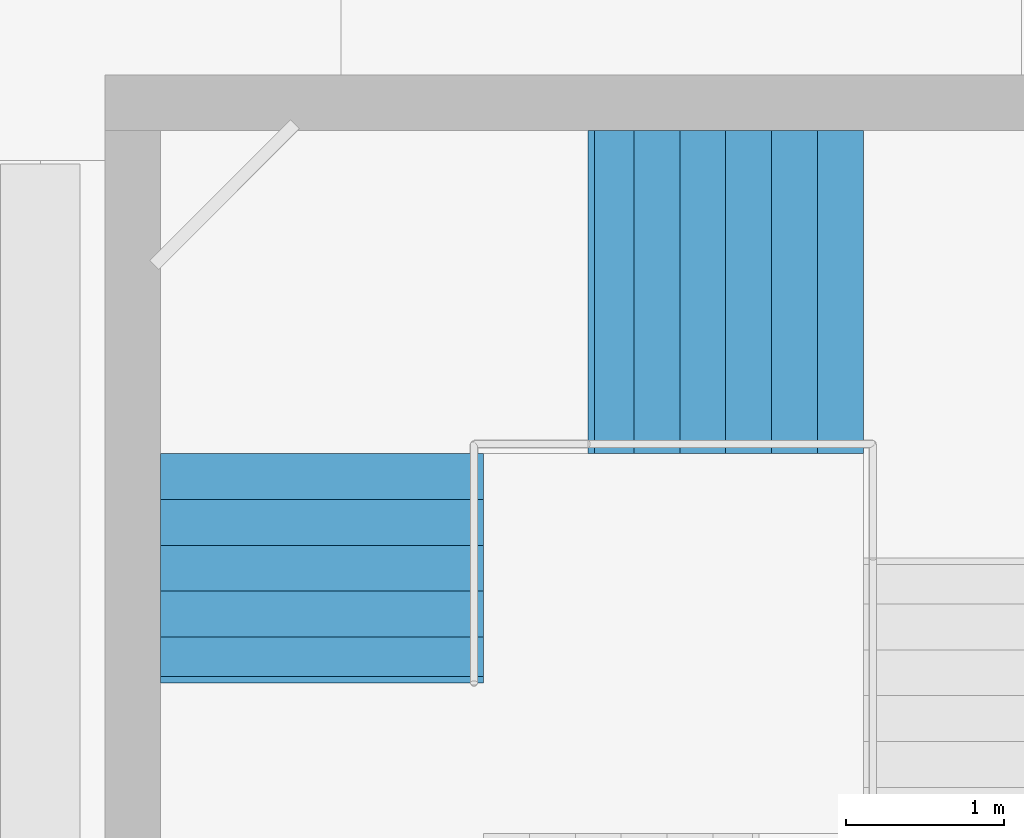
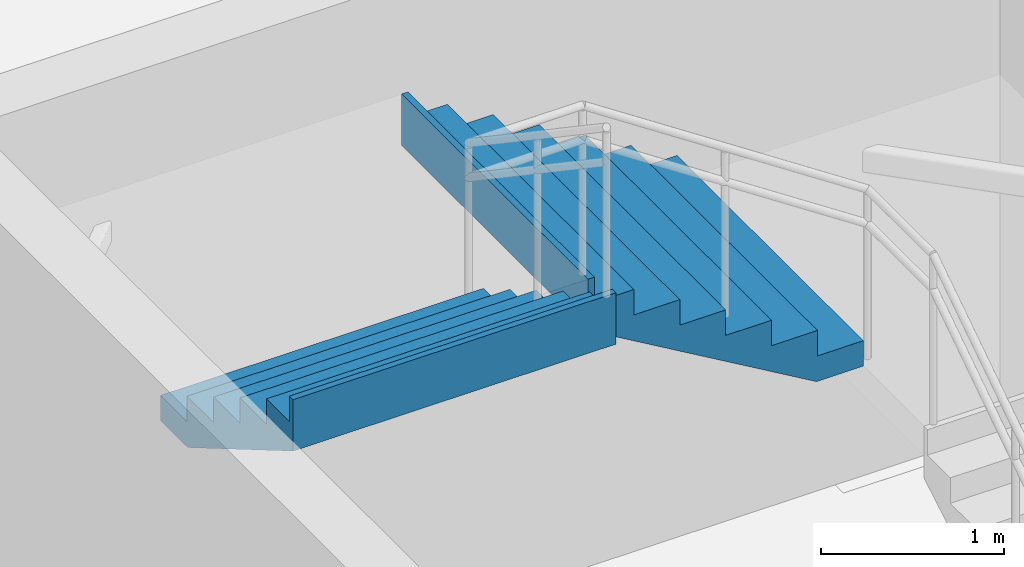
# One storey, part 26 of 30: 2 stair flights, 1 element without a shape of its own.
"""IFC4 building model written with IfcOpenShell, lengths in metres."""

from ifc_helpers import new_model, si_unit, direction, frame, origin, place, context, subcontext, project, spatial, triangles, material, type_object, element, aggregate, save


model = new_model("IFC4")

# Units and contexts
model_context = context("Model", 3, precision=1e-05, world=origin(), true_north=direction((0.0, 1.0)))
body_context = subcontext(model_context, "Body", "Model", "MODEL_VIEW")
ifc_project = project(units=[si_unit("LENGTHUNIT", "METRE"), si_unit("AREAUNIT", "SQUARE_METRE"), si_unit("VOLUMEUNIT", "CUBIC_METRE"), si_unit("PLANEANGLEUNIT", "RADIAN"), si_unit("MASSUNIT", "GRAM", prefix="KILO")], contexts=[model_context])

# Site, building, storey
site_placement = place(None, origin())
site = spatial("IfcSite", under=ifc_project, at=site_placement, CompositionType="ELEMENT")
building_placement = place(site_placement, origin())
building = spatial("IfcBuilding", under=site, at=building_placement, Name="Sillaruma Civic Art Gallery", CompositionType="ELEMENT")
storey_placement = place(building_placement, frame((0.0, 0.0, -9.179931640625)))
storey = spatial("IfcBuildingStorey", under=building, at=storey_placement, Name="B02", CompositionType="ELEMENT", Elevation=-9.179931640625)

# Stair, stair flights
ifc_material = material(Name="Concrete H35 (35 MPa)", Category="concrete")
stair_type = type_object("IfcStairType", Name="STR-4F-27", PredefinedType="USERDEFINED", material=ifc_material)
stair_placement = place(storey_placement, origin())
stair = element("IfcStair", 1, at=stair_placement, inside=storey, type_object=stair_type, Name="Protected Exit Stair ST-02 (West Bar North) (B02)", ObjectType="THREE_RETURN_STAIR", PredefinedType="USERDEFINED")
stair_flight_type_1 = type_object("IfcStairFlightType", Name="SFL-STR-6", PredefinedType="STRAIGHT", material=ifc_material)
stair_flight_1_placement = place(storey_placement, frame((63.780029296875, 85.35009765625, 3.56982421875), z_axis=(0.0, 0.0, 1.0), x_axis=(0.0, -1.0, 0.0)))
stair_flight_1 = element("IfcStairFlight", 2, at=stair_flight_1_placement, type_object=stair_flight_type_1, Name="ST-02 flight 4", NumberOfRisers=6, NumberOfTreads=5, PredefinedType="STRAIGHT", RiserHeight=0.17, TreadLength=0.29, context=body_context, shape_type="Tessellation", body=[
    triangles([(0.0, -1.02001953125, 0.0), (0.29, -1.02001953125, 0.0), (0.296365, -1.02001953125, 0.0), (0.58, -1.02001953125, 0.166269), (0.87, -1.02001953125, 0.336269), (1.16, -1.02001953125, 0.506269), (1.409951, -1.02001953125, 0.652792), (1.449951, -1.02001953125, 0.67624), (1.449951, -1.02001953125, 1.02), (1.409951, -1.02001953125, 1.02), (1.409951, -1.02001953125, 0.85), (1.16, -1.02001953125, 0.85), (1.16, -1.02001953125, 0.68), (0.87, -1.02001953125, 0.68), (0.87, -1.02001953125, 0.51), (0.58, -1.02001953125, 0.51), (0.58, -1.02001953125, 0.34), (0.296365, -1.02001953125, 0.34), (0.29, -1.02001953125, 0.34), (0.29, -1.02001953125, 0.17), (0.0, -1.02001953125, 0.17), (0.0, -0.05, 0.0), (0.29, -0.05, 0.0), (0.296365, -0.05, 0.0), (0.58, -0.05, 0.166269), (0.87, -0.05, 0.336269), (1.16, -0.05, 0.506269), (1.409951, -0.05, 0.652792), (1.449951, -0.05, 0.67624), (1.449951, -0.05, 1.02), (1.409951, -0.05, 1.02), (1.409951, -0.05, 0.85), (1.16, -0.05, 0.85), (1.16, -0.05, 0.68), (0.87, -0.05, 0.68), (0.87, -0.05, 0.51), (0.58, -0.05, 0.51), (0.58, -0.05, 0.34), (0.296365, -0.05, 0.34), (0.29, -0.05, 0.34), (0.29, -0.05, 0.17), (0.0, -0.05, 0.17), (0.0, -0.0375, 0.0), (0.29, -0.0375, 0.0), (0.296365, -0.0375, 0.0), (0.58, -0.0375, 0.166269), (0.87, -0.0375, 0.336269), (1.16, -0.0375, 0.506269), (1.409951, -0.0375, 0.652792), (1.449951, -0.0375, 0.67624), (1.449951, -0.0375, 1.02), (1.409951, -0.0375, 1.02), (1.409951, -0.0375, 0.85), (1.16, -0.0375, 0.85), (1.16, -0.0375, 0.68), (0.87, -0.0375, 0.68), (0.87, -0.0375, 0.51), (0.58, -0.0375, 0.51), (0.58, -0.0375, 0.34), (0.296365, -0.0375, 0.34), (0.29, -0.0375, 0.34), (0.29, -0.0375, 0.17), (0.0, -0.0375, 0.17), (0.0, -0.025, 0.0), (0.29, -0.025, 0.0), (0.296365, -0.025, 0.0), (0.58, -0.025, 0.166269), (0.87, -0.025, 0.336269), (1.16, -0.025, 0.506269), (1.409951, -0.025, 0.652792), (1.449951, -0.025, 0.67624), (1.449951, -0.025, 1.02), (1.409951, -0.025, 1.02), (1.409951, -0.025, 0.85), (1.16, -0.025, 0.85), (1.16, -0.025, 0.68), (0.87, -0.025, 0.68), (0.87, -0.025, 0.51), (0.58, -0.025, 0.51), (0.58, -0.025, 0.34), (0.296365, -0.025, 0.34), (0.29, -0.025, 0.34), (0.29, -0.025, 0.17), (0.0, -0.025, 0.17), (0.0, -0.0125, 0.0), (0.29, -0.0125, 0.0), (0.296365, -0.0125, 0.0), (0.58, -0.0125, 0.166269), (0.87, -0.0125, 0.336269), (1.16, -0.0125, 0.506269), (1.409951, -0.0125, 0.652792), (1.449951, -0.0125, 0.67624), (1.449951, -0.0125, 1.02), (1.409951, -0.0125, 1.02), (1.409951, -0.0125, 0.85), (1.16, -0.0125, 0.85), (1.16, -0.0125, 0.68), (0.87, -0.0125, 0.68), (0.87, -0.0125, 0.51), (0.58, -0.0125, 0.51), (0.58, -0.0125, 0.34), (0.296365, -0.0125, 0.34), (0.29, -0.0125, 0.34), (0.29, -0.0125, 0.17), (0.0, -0.0125, 0.17), (0.0, 0.0, 0.0), (0.29, 0.0, 0.0), (0.296365, 0.0, 0.0), (0.58, 0.0, 0.166269), (0.87, 0.0, 0.336269), (1.16, 0.0, 0.506269), (1.409951, 0.0, 0.652792), (1.449951, 0.0, 0.67624), (1.449951, 0.0, 1.02), (1.409951, 0.0, 1.02), (1.409951, 0.0, 0.85), (1.16, 0.0, 0.85), (1.16, 0.0, 0.68), (0.87, 0.0, 0.68), (0.87, 0.0, 0.51), (0.58, 0.0, 0.51), (0.58, 0.0, 0.34), (0.296365, 0.0, 0.34), (0.29, 0.0, 0.34), (0.29, 0.0, 0.17), (0.0, 0.0, 0.17), (0.0, 0.0125, 0.0), (0.29, 0.0125, 0.0), (0.296365, 0.0125, 0.0), (0.58, 0.0125, 0.166269), (0.87, 0.0125, 0.336269), (1.16, 0.0125, 0.506269), (1.409951, 0.0125, 0.652792), (1.449951, 0.0125, 0.67624), (1.449951, 0.0125, 1.02), (1.409951, 0.0125, 1.02), (1.409951, 0.0125, 0.85), (1.16, 0.0125, 0.85), (1.16, 0.0125, 0.68), (0.87, 0.0125, 0.68), (0.87, 0.0125, 0.51), (0.58, 0.0125, 0.51), (0.58, 0.0125, 0.34), (0.296365, 0.0125, 0.34), (0.29, 0.0125, 0.34), (0.29, 0.0125, 0.17), (0.0, 0.0125, 0.17), (0.0, 0.025, 0.0), (0.29, 0.025, 0.0), (0.296365, 0.025, 0.0), (0.58, 0.025, 0.166269), (0.87, 0.025, 0.336269), (1.16, 0.025, 0.506269), (1.409951, 0.025, 0.652792), (1.449951, 0.025, 0.67624), (1.449951, 0.025, 1.02), (1.409951, 0.025, 1.02), (1.409951, 0.025, 0.85), (1.16, 0.025, 0.85), (1.16, 0.025, 0.68), (0.87, 0.025, 0.68), (0.87, 0.025, 0.51), (0.58, 0.025, 0.51), (0.58, 0.025, 0.34), (0.296365, 0.025, 0.34), (0.29, 0.025, 0.34), (0.29, 0.025, 0.17), (0.0, 0.025, 0.17), (0.0, 0.0375, 0.0), (0.29, 0.0375, 0.0), (0.296365, 0.0375, 0.0), (0.58, 0.0375, 0.166269), (0.87, 0.0375, 0.336269), (1.16, 0.0375, 0.506269), (1.409951, 0.0375, 0.652792), (1.449951, 0.0375, 0.67624), (1.449951, 0.0375, 1.02), (1.409951, 0.0375, 1.02), (1.409951, 0.0375, 0.85), (1.16, 0.0375, 0.85), (1.16, 0.0375, 0.68), (0.87, 0.0375, 0.68), (0.87, 0.0375, 0.51), (0.58, 0.0375, 0.51), (0.58, 0.0375, 0.34), (0.296365, 0.0375, 0.34), (0.29, 0.0375, 0.34), (0.29, 0.0375, 0.17), (0.0, 0.0375, 0.17), (0.0, 0.05, 0.0), (0.29, 0.05, 0.0), (0.296365, 0.05, 0.0), (0.58, 0.05, 0.166269), (0.87, 0.05, 0.336269), (1.16, 0.05, 0.506269), (1.409951, 0.05, 0.652792), (1.449951, 0.05, 0.67624), (1.449951, 0.05, 1.02), (1.409951, 0.05, 1.02), (1.409951, 0.05, 0.85), (1.16, 0.05, 0.85), (1.16, 0.05, 0.68), (0.87, 0.05, 0.68), (0.87, 0.05, 0.51), (0.58, 0.05, 0.51), (0.58, 0.05, 0.34), (0.296365, 0.05, 0.34), (0.29, 0.05, 0.34), (0.29, 0.05, 0.17), (0.0, 0.05, 0.17), (0.0, 1.02001953125, 0.0), (0.29, 1.02001953125, 0.0), (0.296365, 1.02001953125, 0.0), (0.58, 1.02001953125, 0.166269), (0.87, 1.02001953125, 0.336269), (1.16, 1.02001953125, 0.506269), (1.409951, 1.02001953125, 0.652792), (1.449951, 1.02001953125, 0.67624), (1.449951, 1.02001953125, 1.02), (1.409951, 1.02001953125, 1.02), (1.409951, 1.02001953125, 0.85), (1.16, 1.02001953125, 0.85), (1.16, 1.02001953125, 0.68), (0.87, 1.02001953125, 0.68), (0.87, 1.02001953125, 0.51), (0.58, 1.02001953125, 0.51), (0.58, 1.02001953125, 0.34), (0.296365, 1.02001953125, 0.34), (0.29, 1.02001953125, 0.34), (0.29, 1.02001953125, 0.17), (0.0, 1.02001953125, 0.17)], [[1, 2, 20], [1, 20, 21], [2, 3, 18], [2, 18, 20], [20, 18, 19], [3, 4, 17], [3, 17, 18], [4, 5, 15], [4, 15, 17], [17, 15, 16], [5, 6, 13], [5, 13, 15], [15, 13, 14], [6, 7, 11], [6, 11, 13], [13, 11, 12], [7, 8, 9], [7, 9, 11], [11, 9, 10], [230, 212, 211], [231, 230, 211], [228, 213, 212], [230, 228, 212], [229, 228, 230], [227, 214, 213], [228, 227, 213], [225, 215, 214], [227, 225, 214], [226, 225, 227], [223, 216, 215], [225, 223, 215], [224, 223, 225], [221, 217, 216], [223, 221, 216], [222, 221, 223], [219, 218, 217], [221, 219, 217], [220, 219, 221], [2, 1, 22], [2, 22, 23], [3, 2, 23], [3, 23, 24], [4, 3, 24], [4, 24, 25], [5, 4, 25], [5, 25, 26], [6, 5, 26], [6, 26, 27], [7, 6, 27], [7, 27, 28], [8, 7, 28], [8, 28, 29], [9, 8, 29], [9, 29, 30], [10, 9, 30], [10, 30, 31], [11, 10, 31], [11, 31, 32], [12, 11, 32], [12, 32, 33], [13, 12, 33], [13, 33, 34], [14, 13, 34], [14, 34, 35], [15, 14, 35], [15, 35, 36], [16, 15, 36], [16, 36, 37], [17, 16, 37], [17, 37, 38], [18, 17, 38], [18, 38, 39], [19, 18, 39], [19, 39, 40], [20, 19, 40], [20, 40, 41], [21, 20, 41], [21, 41, 42], [1, 21, 42], [1, 42, 22], [23, 22, 43], [23, 43, 44], [24, 23, 44], [24, 44, 45], [25, 24, 45], [25, 45, 46], [26, 25, 46], [26, 46, 47], [27, 26, 47], [27, 47, 48], [28, 27, 48], [28, 48, 49], [29, 28, 49], [29, 49, 50], [30, 29, 50], [30, 50, 51], [31, 30, 51], [31, 51, 52], [32, 31, 52], [32, 52, 53], [33, 32, 53], [33, 53, 54], [34, 33, 54], [34, 54, 55], [35, 34, 55], [35, 55, 56], [36, 35, 56], [36, 56, 57], [37, 36, 57], [37, 57, 58], [38, 37, 58], [38, 58, 59], [39, 38, 59], [39, 59, 60], [40, 39, 60], [40, 60, 61], [41, 40, 61], [41, 61, 62], [42, 41, 62], [42, 62, 63], [22, 42, 63], [22, 63, 43], [44, 43, 64], [44, 64, 65], [45, 44, 65], [45, 65, 66], [46, 45, 66], [46, 66, 67], [47, 46, 67], [47, 67, 68], [48, 47, 68], [48, 68, 69], [49, 48, 69], [49, 69, 70], [50, 49, 70], [50, 70, 71], [51, 50, 71], [51, 71, 72], [52, 51, 72], [52, 72, 73], [53, 52, 73], [53, 73, 74], [54, 53, 74], [54, 74, 75], [55, 54, 75], [55, 75, 76], [56, 55, 76], [56, 76, 77], [57, 56, 77], [57, 77, 78], [58, 57, 78], [58, 78, 79], [59, 58, 79], [59, 79, 80], [60, 59, 80], [60, 80, 81], [61, 60, 81], [61, 81, 82], [62, 61, 82], [62, 82, 83], [63, 62, 83], [63, 83, 84], [43, 63, 84], [43, 84, 64], [65, 64, 85], [65, 85, 86], [66, 65, 86], [66, 86, 87], [67, 66, 87], [67, 87, 88], [68, 67, 88], [68, 88, 89], [69, 68, 89], [69, 89, 90], [70, 69, 90], [70, 90, 91], [71, 70, 91], [71, 91, 92], [72, 71, 92], [72, 92, 93], [73, 72, 93], [73, 93, 94], [74, 73, 94], [74, 94, 95], [75, 74, 95], [75, 95, 96], [76, 75, 96], [76, 96, 97], [77, 76, 97], [77, 97, 98], [78, 77, 98], [78, 98, 99], [79, 78, 99], [79, 99, 100], [80, 79, 100], [80, 100, 101], [81, 80, 101], [81, 101, 102], [82, 81, 102], [82, 102, 103], [83, 82, 103], [83, 103, 104], [84, 83, 104], [84, 104, 105], [64, 84, 105], [64, 105, 85], [86, 85, 106], [86, 106, 107], [87, 86, 107], [87, 107, 108], [88, 87, 108], [88, 108, 109], [89, 88, 109], [89, 109, 110], [90, 89, 110], [90, 110, 111], [91, 90, 111], [91, 111, 112], [92, 91, 112], [92, 112, 113], [93, 92, 113], [93, 113, 114], [94, 93, 114], [94, 114, 115], [95, 94, 115], [95, 115, 116], [96, 95, 116], [96, 116, 117], [97, 96, 117], [97, 117, 118], [98, 97, 118], [98, 118, 119], [99, 98, 119], [99, 119, 120], [100, 99, 120], [100, 120, 121], [101, 100, 121], [101, 121, 122], [102, 101, 122], [102, 122, 123], [103, 102, 123], [103, 123, 124], [104, 103, 124], [104, 124, 125], [105, 104, 125], [105, 125, 126], [85, 105, 126], [85, 126, 106], [107, 106, 127], [107, 127, 128], [108, 107, 128], [108, 128, 129], [109, 108, 129], [109, 129, 130], [110, 109, 130], [110, 130, 131], [111, 110, 131], [111, 131, 132], [112, 111, 132], [112, 132, 133], [113, 112, 133], [113, 133, 134], [114, 113, 134], [114, 134, 135], [115, 114, 135], [115, 135, 136], [116, 115, 136], [116, 136, 137], [117, 116, 137], [117, 137, 138], [118, 117, 138], [118, 138, 139], [119, 118, 139], [119, 139, 140], [120, 119, 140], [120, 140, 141], [121, 120, 141], [121, 141, 142], [122, 121, 142], [122, 142, 143], [123, 122, 143], [123, 143, 144], [124, 123, 144], [124, 144, 145], [125, 124, 145], [125, 145, 146], [126, 125, 146], [126, 146, 147], [106, 126, 147], [106, 147, 127], [128, 127, 148], [128, 148, 149], [129, 128, 149], [129, 149, 150], [130, 129, 150], [130, 150, 151], [131, 130, 151], [131, 151, 152], [132, 131, 152], [132, 152, 153], [133, 132, 153], [133, 153, 154], [134, 133, 154], [134, 154, 155], [135, 134, 155], [135, 155, 156], [136, 135, 156], [136, 156, 157], [137, 136, 157], [137, 157, 158], [138, 137, 158], [138, 158, 159], [139, 138, 159], [139, 159, 160], [140, 139, 160], [140, 160, 161], [141, 140, 161], [141, 161, 162], [142, 141, 162], [142, 162, 163], [143, 142, 163], [143, 163, 164], [144, 143, 164], [144, 164, 165], [145, 144, 165], [145, 165, 166], [146, 145, 166], [146, 166, 167], [147, 146, 167], [147, 167, 168], [127, 147, 168], [127, 168, 148], [149, 148, 169], [149, 169, 170], [150, 149, 170], [150, 170, 171], [151, 150, 171], [151, 171, 172], [152, 151, 172], [152, 172, 173], [153, 152, 173], [153, 173, 174], [154, 153, 174], [154, 174, 175], [155, 154, 175], [155, 175, 176], [156, 155, 176], [156, 176, 177], [157, 156, 177], [157, 177, 178], [158, 157, 178], [158, 178, 179], [159, 158, 179], [159, 179, 180], [160, 159, 180], [160, 180, 181], [161, 160, 181], [161, 181, 182], [162, 161, 182], [162, 182, 183], [163, 162, 183], [163, 183, 184], [164, 163, 184], [164, 184, 185], [165, 164, 185], [165, 185, 186], [166, 165, 186], [166, 186, 187], [167, 166, 187], [167, 187, 188], [168, 167, 188], [168, 188, 189], [148, 168, 189], [148, 189, 169], [170, 169, 190], [170, 190, 191], [171, 170, 191], [171, 191, 192], [172, 171, 192], [172, 192, 193], [173, 172, 193], [173, 193, 194], [174, 173, 194], [174, 194, 195], [175, 174, 195], [175, 195, 196], [176, 175, 196], [176, 196, 197], [177, 176, 197], [177, 197, 198], [178, 177, 198], [178, 198, 199], [179, 178, 199], [179, 199, 200], [180, 179, 200], [180, 200, 201], [181, 180, 201], [181, 201, 202], [182, 181, 202], [182, 202, 203], [183, 182, 203], [183, 203, 204], [184, 183, 204], [184, 204, 205], [185, 184, 205], [185, 205, 206], [186, 185, 206], [186, 206, 207], [187, 186, 207], [187, 207, 208], [188, 187, 208], [188, 208, 209], [189, 188, 209], [189, 209, 210], [169, 189, 210], [169, 210, 190], [191, 190, 211], [191, 211, 212], [192, 191, 212], [192, 212, 213], [193, 192, 213], [193, 213, 214], [194, 193, 214], [194, 214, 215], [195, 194, 215], [195, 215, 216], [196, 195, 216], [196, 216, 217], [197, 196, 217], [197, 217, 218], [198, 197, 218], [198, 218, 219], [199, 198, 219], [199, 219, 220], [200, 199, 220], [200, 220, 221], [201, 200, 221], [201, 221, 222], [202, 201, 222], [202, 222, 223], [203, 202, 223], [203, 223, 224], [204, 203, 224], [204, 224, 225], [205, 204, 225], [205, 225, 226], [206, 205, 226], [206, 226, 227], [207, 206, 227], [207, 227, 228], [208, 207, 228], [208, 228, 229], [209, 208, 229], [209, 229, 230], [210, 209, 230], [210, 230, 231], [190, 210, 231], [190, 231, 211]], closed=True),
])
stair_flight_type_2 = type_object("IfcStairFlightType", Name="SFL-STR-7", PredefinedType="STRAIGHT", material=ifc_material)
stair_flight_2_placement = place(storey_placement, frame((67.199951171875, 86.3701171875, 2.3798828125), z_axis=(0.0, 0.0, 1.0), x_axis=(-1.0, 0.0, 0.0)))
stair_flight_2 = element("IfcStairFlight", 3, at=stair_flight_2_placement, type_object=stair_flight_type_2, Name="ST-02 flight 3", NumberOfRisers=7, NumberOfTreads=6, PredefinedType="STRAIGHT", RiserHeight=0.17, TreadLength=0.29, context=body_context, shape_type="Tessellation", body=[
    triangles([(0.0, -1.02001953125, 0.0), (0.29, -1.02001953125, 0.0), (0.296404, -1.02001953125, 0.0), (0.58, -1.02001953125, 0.166246), (0.87, -1.02001953125, 0.336246), (1.16, -1.02001953125, 0.506246), (1.45, -1.02001953125, 0.676246), (1.69999, -1.02001953125, 0.822792), (1.73999, -1.02001953125, 0.84624), (1.73999, -1.02001953125, 1.19), (1.69999, -1.02001953125, 1.19), (1.69999, -1.02001953125, 1.02), (1.45, -1.02001953125, 1.02), (1.45, -1.02001953125, 0.85), (1.16, -1.02001953125, 0.85), (1.16, -1.02001953125, 0.68), (0.87, -1.02001953125, 0.68), (0.87, -1.02001953125, 0.51), (0.58, -1.02001953125, 0.51), (0.58, -1.02001953125, 0.34), (0.296404, -1.02001953125, 0.34), (0.29, -1.02001953125, 0.34), (0.29, -1.02001953125, 0.17), (0.0, -1.02001953125, 0.17), (0.0, -0.05, 0.0), (0.29, -0.05, 0.0), (0.296404, -0.05, 0.0), (0.58, -0.05, 0.166246), (0.87, -0.05, 0.336246), (1.16, -0.05, 0.506246), (1.45, -0.05, 0.676246), (1.69999, -0.05, 0.822792), (1.73999, -0.05, 0.84624), (1.73999, -0.05, 1.19), (1.69999, -0.05, 1.19), (1.69999, -0.05, 1.02), (1.45, -0.05, 1.02), (1.45, -0.05, 0.85), (1.16, -0.05, 0.85), (1.16, -0.05, 0.68), (0.87, -0.05, 0.68), (0.87, -0.05, 0.51), (0.58, -0.05, 0.51), (0.58, -0.05, 0.34), (0.296404, -0.05, 0.34), (0.29, -0.05, 0.34), (0.29, -0.05, 0.17), (0.0, -0.05, 0.17), (0.0, -0.0375, 0.0), (0.29, -0.0375, 0.0), (0.296404, -0.0375, 0.0), (0.58, -0.0375, 0.166246), (0.87, -0.0375, 0.336246), (1.16, -0.0375, 0.506246), (1.45, -0.0375, 0.676246), (1.69999, -0.0375, 0.822792), (1.73999, -0.0375, 0.84624), (1.73999, -0.0375, 1.19), (1.69999, -0.0375, 1.19), (1.69999, -0.0375, 1.02), (1.45, -0.0375, 1.02), (1.45, -0.0375, 0.85), (1.16, -0.0375, 0.85), (1.16, -0.0375, 0.68), (0.87, -0.0375, 0.68), (0.87, -0.0375, 0.51), (0.58, -0.0375, 0.51), (0.58, -0.0375, 0.34), (0.296404, -0.0375, 0.34), (0.29, -0.0375, 0.34), (0.29, -0.0375, 0.17), (0.0, -0.0375, 0.17), (0.0, -0.025, 0.0), (0.29, -0.025, 0.0), (0.296404, -0.025, 0.0), (0.58, -0.025, 0.166246), (0.87, -0.025, 0.336246), (1.16, -0.025, 0.506246), (1.45, -0.025, 0.676246), (1.69999, -0.025, 0.822792), (1.73999, -0.025, 0.84624), (1.73999, -0.025, 1.19), (1.69999, -0.025, 1.19), (1.69999, -0.025, 1.02), (1.45, -0.025, 1.02), (1.45, -0.025, 0.85), (1.16, -0.025, 0.85), (1.16, -0.025, 0.68), (0.87, -0.025, 0.68), (0.87, -0.025, 0.51), (0.58, -0.025, 0.51), (0.58, -0.025, 0.34), (0.296404, -0.025, 0.34), (0.29, -0.025, 0.34), (0.29, -0.025, 0.17), (0.0, -0.025, 0.17), (0.0, -0.0125, 0.0), (0.29, -0.0125, 0.0), (0.296404, -0.0125, 0.0), (0.58, -0.0125, 0.166246), (0.87, -0.0125, 0.336246), (1.16, -0.0125, 0.506246), (1.45, -0.0125, 0.676246), (1.69999, -0.0125, 0.822792), (1.73999, -0.0125, 0.84624), (1.73999, -0.0125, 1.19), (1.69999, -0.0125, 1.19), (1.69999, -0.0125, 1.02), (1.45, -0.0125, 1.02), (1.45, -0.0125, 0.85), (1.16, -0.0125, 0.85), (1.16, -0.0125, 0.68), (0.87, -0.0125, 0.68), (0.87, -0.0125, 0.51), (0.58, -0.0125, 0.51), (0.58, -0.0125, 0.34), (0.296404, -0.0125, 0.34), (0.29, -0.0125, 0.34), (0.29, -0.0125, 0.17), (0.0, -0.0125, 0.17), (0.0, 0.0, 0.0), (0.29, 0.0, 0.0), (0.296404, 0.0, 0.0), (0.58, 0.0, 0.166246), (0.87, 0.0, 0.336246), (1.16, 0.0, 0.506246), (1.45, 0.0, 0.676246), (1.69999, 0.0, 0.822792), (1.73999, 0.0, 0.84624), (1.73999, 0.0, 1.19), (1.69999, 0.0, 1.19), (1.69999, 0.0, 1.02), (1.45, 0.0, 1.02), (1.45, 0.0, 0.85), (1.16, 0.0, 0.85), (1.16, 0.0, 0.68), (0.87, 0.0, 0.68), (0.87, 0.0, 0.51), (0.58, 0.0, 0.51), (0.58, 0.0, 0.34), (0.296404, 0.0, 0.34), (0.29, 0.0, 0.34), (0.29, 0.0, 0.17), (0.0, 0.0, 0.17), (0.0, 0.0125, 0.0), (0.29, 0.0125, 0.0), (0.296404, 0.0125, 0.0), (0.58, 0.0125, 0.166246), (0.87, 0.0125, 0.336246), (1.16, 0.0125, 0.506246), (1.45, 0.0125, 0.676246), (1.69999, 0.0125, 0.822792), (1.73999, 0.0125, 0.84624), (1.73999, 0.0125, 1.19), (1.69999, 0.0125, 1.19), (1.69999, 0.0125, 1.02), (1.45, 0.0125, 1.02), (1.45, 0.0125, 0.85), (1.16, 0.0125, 0.85), (1.16, 0.0125, 0.68), (0.87, 0.0125, 0.68), (0.87, 0.0125, 0.51), (0.58, 0.0125, 0.51), (0.58, 0.0125, 0.34), (0.296404, 0.0125, 0.34), (0.29, 0.0125, 0.34), (0.29, 0.0125, 0.17), (0.0, 0.0125, 0.17), (0.0, 0.025, 0.0), (0.29, 0.025, 0.0), (0.296404, 0.025, 0.0), (0.58, 0.025, 0.166246), (0.87, 0.025, 0.336246), (1.16, 0.025, 0.506246), (1.45, 0.025, 0.676246), (1.69999, 0.025, 0.822792), (1.73999, 0.025, 0.84624), (1.73999, 0.025, 1.19), (1.69999, 0.025, 1.19), (1.69999, 0.025, 1.02), (1.45, 0.025, 1.02), (1.45, 0.025, 0.85), (1.16, 0.025, 0.85), (1.16, 0.025, 0.68), (0.87, 0.025, 0.68), (0.87, 0.025, 0.51), (0.58, 0.025, 0.51), (0.58, 0.025, 0.34), (0.296404, 0.025, 0.34), (0.29, 0.025, 0.34), (0.29, 0.025, 0.17), (0.0, 0.025, 0.17), (0.0, 0.0375, 0.0), (0.29, 0.0375, 0.0), (0.296404, 0.0375, 0.0), (0.58, 0.0375, 0.166246), (0.87, 0.0375, 0.336246), (1.16, 0.0375, 0.506246), (1.45, 0.0375, 0.676246), (1.69999, 0.0375, 0.822792), (1.73999, 0.0375, 0.84624), (1.73999, 0.0375, 1.19), (1.69999, 0.0375, 1.19), (1.69999, 0.0375, 1.02), (1.45, 0.0375, 1.02), (1.45, 0.0375, 0.85), (1.16, 0.0375, 0.85), (1.16, 0.0375, 0.68), (0.87, 0.0375, 0.68), (0.87, 0.0375, 0.51), (0.58, 0.0375, 0.51), (0.58, 0.0375, 0.34), (0.296404, 0.0375, 0.34), (0.29, 0.0375, 0.34), (0.29, 0.0375, 0.17), (0.0, 0.0375, 0.17), (0.0, 0.05, 0.0), (0.29, 0.05, 0.0), (0.296404, 0.05, 0.0), (0.58, 0.05, 0.166246), (0.87, 0.05, 0.336246), (1.16, 0.05, 0.506246), (1.45, 0.05, 0.676246), (1.69999, 0.05, 0.822792), (1.73999, 0.05, 0.84624), (1.73999, 0.05, 1.19), (1.69999, 0.05, 1.19), (1.69999, 0.05, 1.02), (1.45, 0.05, 1.02), (1.45, 0.05, 0.85), (1.16, 0.05, 0.85), (1.16, 0.05, 0.68), (0.87, 0.05, 0.68), (0.87, 0.05, 0.51), (0.58, 0.05, 0.51), (0.58, 0.05, 0.34), (0.296404, 0.05, 0.34), (0.29, 0.05, 0.34), (0.29, 0.05, 0.17), (0.0, 0.05, 0.17), (0.0, 1.02001953125, 0.0), (0.29, 1.02001953125, 0.0), (0.296404, 1.02001953125, 0.0), (0.58, 1.02001953125, 0.166246), (0.87, 1.02001953125, 0.336246), (1.16, 1.02001953125, 0.506246), (1.45, 1.02001953125, 0.676246), (1.69999, 1.02001953125, 0.822792), (1.73999, 1.02001953125, 0.84624), (1.73999, 1.02001953125, 1.19), (1.69999, 1.02001953125, 1.19), (1.69999, 1.02001953125, 1.02), (1.45, 1.02001953125, 1.02), (1.45, 1.02001953125, 0.85), (1.16, 1.02001953125, 0.85), (1.16, 1.02001953125, 0.68), (0.87, 1.02001953125, 0.68), (0.87, 1.02001953125, 0.51), (0.58, 1.02001953125, 0.51), (0.58, 1.02001953125, 0.34), (0.296404, 1.02001953125, 0.34), (0.29, 1.02001953125, 0.34), (0.29, 1.02001953125, 0.17), (0.0, 1.02001953125, 0.17)], [[1, 2, 23], [1, 23, 24], [2, 3, 21], [2, 21, 23], [23, 21, 22], [3, 4, 20], [3, 20, 21], [4, 5, 18], [4, 18, 20], [20, 18, 19], [5, 6, 16], [5, 16, 18], [18, 16, 17], [6, 7, 14], [6, 14, 16], [16, 14, 15], [7, 8, 12], [7, 12, 14], [14, 12, 13], [8, 9, 10], [8, 10, 12], [12, 10, 11], [263, 242, 241], [264, 263, 241], [261, 243, 242], [263, 261, 242], [262, 261, 263], [260, 244, 243], [261, 260, 243], [258, 245, 244], [260, 258, 244], [259, 258, 260], [256, 246, 245], [258, 256, 245], [257, 256, 258], [254, 247, 246], [256, 254, 246], [255, 254, 256], [252, 248, 247], [254, 252, 247], [253, 252, 254], [250, 249, 248], [252, 250, 248], [251, 250, 252], [2, 1, 25], [2, 25, 26], [3, 2, 26], [3, 26, 27], [4, 3, 27], [4, 27, 28], [5, 4, 28], [5, 28, 29], [6, 5, 29], [6, 29, 30], [7, 6, 30], [7, 30, 31], [8, 7, 31], [8, 31, 32], [9, 8, 32], [9, 32, 33], [10, 9, 33], [10, 33, 34], [11, 10, 34], [11, 34, 35], [12, 11, 35], [12, 35, 36], [13, 12, 36], [13, 36, 37], [14, 13, 37], [14, 37, 38], [15, 14, 38], [15, 38, 39], [16, 15, 39], [16, 39, 40], [17, 16, 40], [17, 40, 41], [18, 17, 41], [18, 41, 42], [19, 18, 42], [19, 42, 43], [20, 19, 43], [20, 43, 44], [21, 20, 44], [21, 44, 45], [22, 21, 45], [22, 45, 46], [23, 22, 46], [23, 46, 47], [24, 23, 47], [24, 47, 48], [1, 24, 48], [1, 48, 25], [26, 25, 49], [26, 49, 50], [27, 26, 50], [27, 50, 51], [28, 27, 51], [28, 51, 52], [29, 28, 52], [29, 52, 53], [30, 29, 53], [30, 53, 54], [31, 30, 54], [31, 54, 55], [32, 31, 55], [32, 55, 56], [33, 32, 56], [33, 56, 57], [34, 33, 57], [34, 57, 58], [35, 34, 58], [35, 58, 59], [36, 35, 59], [36, 59, 60], [37, 36, 60], [37, 60, 61], [38, 37, 61], [38, 61, 62], [39, 38, 62], [39, 62, 63], [40, 39, 63], [40, 63, 64], [41, 40, 64], [41, 64, 65], [42, 41, 65], [42, 65, 66], [43, 42, 66], [43, 66, 67], [44, 43, 67], [44, 67, 68], [45, 44, 68], [45, 68, 69], [46, 45, 69], [46, 69, 70], [47, 46, 70], [47, 70, 71], [48, 47, 71], [48, 71, 72], [25, 48, 72], [25, 72, 49], [50, 49, 73], [50, 73, 74], [51, 50, 74], [51, 74, 75], [52, 51, 75], [52, 75, 76], [53, 52, 76], [53, 76, 77], [54, 53, 77], [54, 77, 78], [55, 54, 78], [55, 78, 79], [56, 55, 79], [56, 79, 80], [57, 56, 80], [57, 80, 81], [58, 57, 81], [58, 81, 82], [59, 58, 82], [59, 82, 83], [60, 59, 83], [60, 83, 84], [61, 60, 84], [61, 84, 85], [62, 61, 85], [62, 85, 86], [63, 62, 86], [63, 86, 87], [64, 63, 87], [64, 87, 88], [65, 64, 88], [65, 88, 89], [66, 65, 89], [66, 89, 90], [67, 66, 90], [67, 90, 91], [68, 67, 91], [68, 91, 92], [69, 68, 92], [69, 92, 93], [70, 69, 93], [70, 93, 94], [71, 70, 94], [71, 94, 95], [72, 71, 95], [72, 95, 96], [49, 72, 96], [49, 96, 73], [74, 73, 97], [74, 97, 98], [75, 74, 98], [75, 98, 99], [76, 75, 99], [76, 99, 100], [77, 76, 100], [77, 100, 101], [78, 77, 101], [78, 101, 102], [79, 78, 102], [79, 102, 103], [80, 79, 103], [80, 103, 104], [81, 80, 104], [81, 104, 105], [82, 81, 105], [82, 105, 106], [83, 82, 106], [83, 106, 107], [84, 83, 107], [84, 107, 108], [85, 84, 108], [85, 108, 109], [86, 85, 109], [86, 109, 110], [87, 86, 110], [87, 110, 111], [88, 87, 111], [88, 111, 112], [89, 88, 112], [89, 112, 113], [90, 89, 113], [90, 113, 114], [91, 90, 114], [91, 114, 115], [92, 91, 115], [92, 115, 116], [93, 92, 116], [93, 116, 117], [94, 93, 117], [94, 117, 118], [95, 94, 118], [95, 118, 119], [96, 95, 119], [96, 119, 120], [73, 96, 120], [73, 120, 97], [98, 97, 121], [98, 121, 122], [99, 98, 122], [99, 122, 123], [100, 99, 123], [100, 123, 124], [101, 100, 124], [101, 124, 125], [102, 101, 125], [102, 125, 126], [103, 102, 126], [103, 126, 127], [104, 103, 127], [104, 127, 128], [105, 104, 128], [105, 128, 129], [106, 105, 129], [106, 129, 130], [107, 106, 130], [107, 130, 131], [108, 107, 131], [108, 131, 132], [109, 108, 132], [109, 132, 133], [110, 109, 133], [110, 133, 134], [111, 110, 134], [111, 134, 135], [112, 111, 135], [112, 135, 136], [113, 112, 136], [113, 136, 137], [114, 113, 137], [114, 137, 138], [115, 114, 138], [115, 138, 139], [116, 115, 139], [116, 139, 140], [117, 116, 140], [117, 140, 141], [118, 117, 141], [118, 141, 142], [119, 118, 142], [119, 142, 143], [120, 119, 143], [120, 143, 144], [97, 120, 144], [97, 144, 121], [122, 121, 145], [122, 145, 146], [123, 122, 146], [123, 146, 147], [124, 123, 147], [124, 147, 148], [125, 124, 148], [125, 148, 149], [126, 125, 149], [126, 149, 150], [127, 126, 150], [127, 150, 151], [128, 127, 151], [128, 151, 152], [129, 128, 152], [129, 152, 153], [130, 129, 153], [130, 153, 154], [131, 130, 154], [131, 154, 155], [132, 131, 155], [132, 155, 156], [133, 132, 156], [133, 156, 157], [134, 133, 157], [134, 157, 158], [135, 134, 158], [135, 158, 159], [136, 135, 159], [136, 159, 160], [137, 136, 160], [137, 160, 161], [138, 137, 161], [138, 161, 162], [139, 138, 162], [139, 162, 163], [140, 139, 163], [140, 163, 164], [141, 140, 164], [141, 164, 165], [142, 141, 165], [142, 165, 166], [143, 142, 166], [143, 166, 167], [144, 143, 167], [144, 167, 168], [121, 144, 168], [121, 168, 145], [146, 145, 169], [146, 169, 170], [147, 146, 170], [147, 170, 171], [148, 147, 171], [148, 171, 172], [149, 148, 172], [149, 172, 173], [150, 149, 173], [150, 173, 174], [151, 150, 174], [151, 174, 175], [152, 151, 175], [152, 175, 176], [153, 152, 176], [153, 176, 177], [154, 153, 177], [154, 177, 178], [155, 154, 178], [155, 178, 179], [156, 155, 179], [156, 179, 180], [157, 156, 180], [157, 180, 181], [158, 157, 181], [158, 181, 182], [159, 158, 182], [159, 182, 183], [160, 159, 183], [160, 183, 184], [161, 160, 184], [161, 184, 185], [162, 161, 185], [162, 185, 186], [163, 162, 186], [163, 186, 187], [164, 163, 187], [164, 187, 188], [165, 164, 188], [165, 188, 189], [166, 165, 189], [166, 189, 190], [167, 166, 190], [167, 190, 191], [168, 167, 191], [168, 191, 192], [145, 168, 192], [145, 192, 169], [170, 169, 193], [170, 193, 194], [171, 170, 194], [171, 194, 195], [172, 171, 195], [172, 195, 196], [173, 172, 196], [173, 196, 197], [174, 173, 197], [174, 197, 198], [175, 174, 198], [175, 198, 199], [176, 175, 199], [176, 199, 200], [177, 176, 200], [177, 200, 201], [178, 177, 201], [178, 201, 202], [179, 178, 202], [179, 202, 203], [180, 179, 203], [180, 203, 204], [181, 180, 204], [181, 204, 205], [182, 181, 205], [182, 205, 206], [183, 182, 206], [183, 206, 207], [184, 183, 207], [184, 207, 208], [185, 184, 208], [185, 208, 209], [186, 185, 209], [186, 209, 210], [187, 186, 210], [187, 210, 211], [188, 187, 211], [188, 211, 212], [189, 188, 212], [189, 212, 213], [190, 189, 213], [190, 213, 214], [191, 190, 214], [191, 214, 215], [192, 191, 215], [192, 215, 216], [169, 192, 216], [169, 216, 193], [194, 193, 217], [194, 217, 218], [195, 194, 218], [195, 218, 219], [196, 195, 219], [196, 219, 220], [197, 196, 220], [197, 220, 221], [198, 197, 221], [198, 221, 222], [199, 198, 222], [199, 222, 223], [200, 199, 223], [200, 223, 224], [201, 200, 224], [201, 224, 225], [202, 201, 225], [202, 225, 226], [203, 202, 226], [203, 226, 227], [204, 203, 227], [204, 227, 228], [205, 204, 228], [205, 228, 229], [206, 205, 229], [206, 229, 230], [207, 206, 230], [207, 230, 231], [208, 207, 231], [208, 231, 232], [209, 208, 232], [209, 232, 233], [210, 209, 233], [210, 233, 234], [211, 210, 234], [211, 234, 235], [212, 211, 235], [212, 235, 236], [213, 212, 236], [213, 236, 237], [214, 213, 237], [214, 237, 238], [215, 214, 238], [215, 238, 239], [216, 215, 239], [216, 239, 240], [193, 216, 240], [193, 240, 217], [218, 217, 241], [218, 241, 242], [219, 218, 242], [219, 242, 243], [220, 219, 243], [220, 243, 244], [221, 220, 244], [221, 244, 245], [222, 221, 245], [222, 245, 246], [223, 222, 246], [223, 246, 247], [224, 223, 247], [224, 247, 248], [225, 224, 248], [225, 248, 249], [226, 225, 249], [226, 249, 250], [227, 226, 250], [227, 250, 251], [228, 227, 251], [228, 251, 252], [229, 228, 252], [229, 252, 253], [230, 229, 253], [230, 253, 254], [231, 230, 254], [231, 254, 255], [232, 231, 255], [232, 255, 256], [233, 232, 256], [233, 256, 257], [234, 233, 257], [234, 257, 258], [235, 234, 258], [235, 258, 259], [236, 235, 259], [236, 259, 260], [237, 236, 260], [237, 260, 261], [238, 237, 261], [238, 261, 262], [239, 238, 262], [239, 262, 263], [240, 239, 263], [240, 263, 264], [217, 240, 264], [217, 264, 241]], closed=True),
])
aggregate(stair, [stair_flight_2, stair_flight_1])

save(model, "model.ifc")
